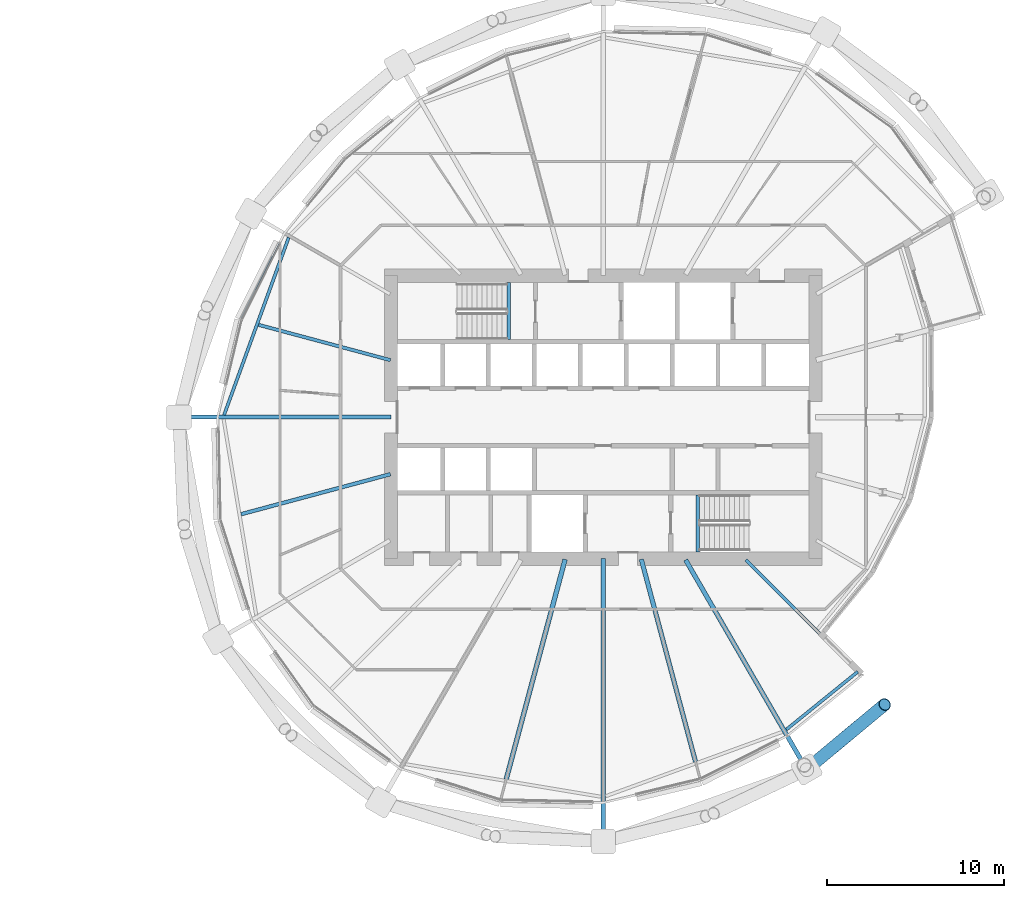
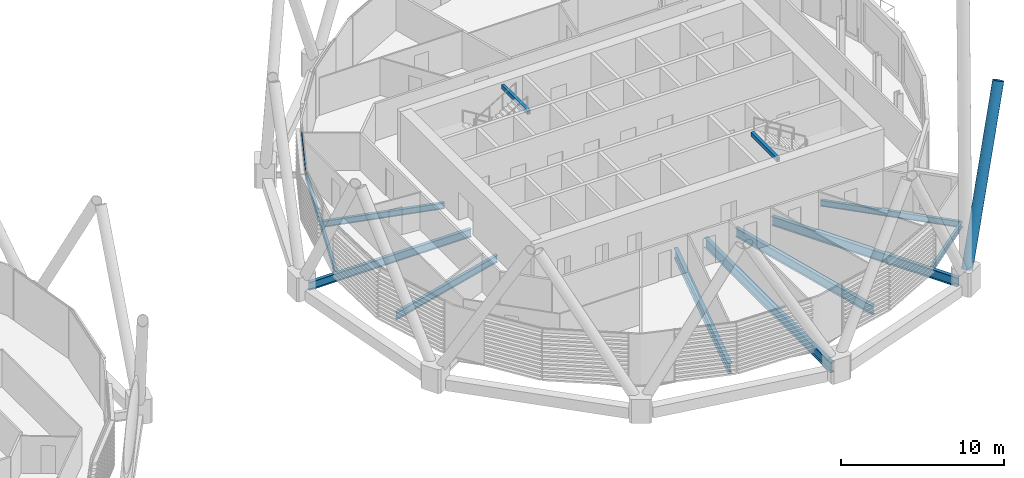
# One storey, part 19 of 39: 12 beams, 2 members, 1 element without a shape of its own.
"""IFC4 building model written with IfcOpenShell, lengths in metres."""

import ifcopenshell
import ifcopenshell.guid

model = None  # the IFC model being written
_history = None  # IfcOwnerHistory: only IFC2X3 demands one
_inside = {}  # id of a spatial element -> (the spatial element, [elements in it])
_under = {}  # id of a project, library or spatial element -> (it, [spatial elements below it])
_declared = {}  # id of a project -> (the project, [libraries it declares])
_typed = {}  # id of a type object -> (the type object, [elements of that type])
_made_of = {}  # id of a material, layer set ... -> (it, [elements and type objects made of it])


def new_model(schema):
    """Start an empty IFC model of exactly this schema.

    Asked for "IFC4X3", IfcOpenShell would pick the latest addendum, in which some entities
    have other attributes; the version numbers below select the first issue.
    IFC2X3 requires an IfcOwnerHistory on every rooted entity: one is made here for all.
    """
    global model, _history
    if schema == "IFC4X3":
        model = ifcopenshell.file(schema_version=(4, 3, 0, 0))
    else:
        model = ifcopenshell.file(schema=schema)
    _inside.clear()
    _under.clear()
    _declared.clear()
    _typed.clear()
    _made_of.clear()
    _history = None
    if model.schema == "IFC2X3":
        org = make("IfcOrganization", Name="unknown")
        user = make(
            "IfcPersonAndOrganization",
            ThePerson=make("IfcPerson", FamilyName="unknown"),
            TheOrganization=org,
        )
        app = make(
            "IfcApplication",
            ApplicationDeveloper=org,
            Version="unknown",
            ApplicationFullName="unknown",
            ApplicationIdentifier="unknown",
        )
        _history = make(
            "IfcOwnerHistory",
            OwningUser=user,
            OwningApplication=app,
            ChangeAction="ADDED",
            CreationDate=0,
        )
    return model


def make(cls, **values):
    """One entity of the class cls with the attributes given. An attribute that is None is left unset."""
    return model.create_entity(
        cls, **{name: value for name, value in values.items() if value is not None}
    )


def rooted(cls, **values):
    """An entity with a GlobalId (a new one), such as an element, a storey or a relation."""
    return make(cls, GlobalId=ifcopenshell.guid.new(), OwnerHistory=_history, **values)


def si_unit(unit_type, name, prefix=None):
    """IfcSIUnit, for example si_unit("LENGTHUNIT", "METRE", prefix="MILLI")."""
    return make("IfcSIUnit", UnitType=unit_type, Prefix=prefix, Name=name)


def assignment(units):
    """IfcUnitAssignment: the units of a project."""
    return None if units is None else make("IfcUnitAssignment", Units=units)


def point(xyz):
    """IfcCartesianPoint."""
    return None if xyz is None else make("IfcCartesianPoint", Coordinates=xyz)


def direction(xyz):
    """IfcDirection."""
    return None if xyz is None else make("IfcDirection", DirectionRatios=xyz)


def frame(location, z_axis=None, x_axis=None):
    """IfcAxis2Placement3D, a coordinate frame: its origin and axes. An axis left out is left unset."""
    return make(
        "IfcAxis2Placement3D",
        Location=point(location),
        Axis=direction(z_axis),
        RefDirection=direction(x_axis),
    )


def frame_2d(location, x_axis=None):
    """IfcAxis2Placement2D, a coordinate frame in the plane: its origin and x axis."""
    return make(
        "IfcAxis2Placement2D", Location=point(location), RefDirection=direction(x_axis)
    )


def origin():
    """The frame at (0, 0, 0) with its axes left unset."""
    return frame((0.0, 0.0, 0.0))


def origin_2d():
    """The frame at (0, 0) in the plane with its x axis left unset."""
    return frame_2d((0.0, 0.0))


def place(relative_to, where):
    """IfcLocalPlacement: puts the frame where relative to a parent placement (None: the world)."""
    return make(
        "IfcLocalPlacement", PlacementRelTo=relative_to, RelativePlacement=where
    )


def context(
    kind, dimensions, precision=None, world=None, true_north=None, identifier=None
):
    """IfcGeometricRepresentationContext, for example the 3D "Model" context."""
    return make(
        "IfcGeometricRepresentationContext",
        ContextIdentifier=identifier,
        ContextType=kind,
        CoordinateSpaceDimension=dimensions,
        Precision=precision,
        WorldCoordinateSystem=world,
        TrueNorth=true_north,
    )


def subcontext(parent, identifier, kind, view, scale=None):
    """IfcGeometricRepresentationSubContext, for example "Body" below "Model"."""
    return make(
        "IfcGeometricRepresentationSubContext",
        ContextIdentifier=identifier,
        ContextType=kind,
        ParentContext=parent,
        TargetScale=scale,
        TargetView=view,
    )


def project(units=None, contexts=None):
    """IfcProject with its units and contexts."""
    return rooted(
        "IfcProject",
        Name="project",
        RepresentationContexts=contexts,
        UnitsInContext=assignment(units),
    )


def spatial(cls, under=None, at=None, **own):
    """A site, building, storey or space (cls), placed at a placement, below another one or the project."""
    s = rooted(cls, ObjectPlacement=at, **own)
    if under is not None:
        _under.setdefault(under.id(), (under, []))[1].append(s)
    return s


def profile(cls, at=None, kind="AREA", **sizes):
    """A parametric profile (cls). Its sizes go by their IFC names, for example OverallWidth=200.0."""
    return make(cls, ProfileType=kind, Position=at, **sizes)


def rectangle(**sizes):
    """IfcRectangleProfileDef."""
    return profile("IfcRectangleProfileDef", **sizes)


def hollow_rectangle(**sizes):
    """IfcRectangleHollowProfileDef."""
    return profile("IfcRectangleHollowProfileDef", **sizes)


def hollow_circle(**sizes):
    """IfcCircleHollowProfileDef."""
    return profile("IfcCircleHollowProfileDef", **sizes)


def i_section(**sizes):
    """IfcIShapeProfileDef."""
    return profile("IfcIShapeProfileDef", **sizes)


def extrude(swept, where, along, depth):
    """IfcExtrudedAreaSolid: the profile swept, set in the frame where, extruded along a direction by depth."""
    return make(
        "IfcExtrudedAreaSolid",
        SweptArea=swept,
        Position=where,
        ExtrudedDirection=direction(along),
        Depth=depth,
    )


def shape(context_of_items, identifier, shape_type, items):
    """IfcShapeRepresentation: the items that make up one representation, for example the "Body"."""
    return make(
        "IfcShapeRepresentation",
        ContextOfItems=context_of_items,
        RepresentationIdentifier=identifier,
        RepresentationType=shape_type,
        Items=items,
    )


def material(Name=None, Category=None):
    """IfcMaterial."""
    return make("IfcMaterial", Name=Name, Category=Category)


def material_profile(
    of_material, cross_section, Name=None, Category=None, Priority=None
):
    """IfcMaterialProfile: a cross section and its material."""
    return make(
        "IfcMaterialProfile",
        Name=Name,
        Material=of_material,
        Profile=cross_section,
        Priority=Priority,
        Category=Category,
    )


def profile_set(profiles, Name=None, composite=None):
    """IfcMaterialProfileSet."""
    return make(
        "IfcMaterialProfileSet",
        Name=Name,
        MaterialProfiles=profiles,
        CompositeProfile=composite,
    )


def made_of(thing, what):
    """Note that an element or type object is made of a material, layer set ...; save() writes the relation."""
    if what is not None:
        _made_of.setdefault(what.id(), (what, []))[1].append(thing)
    return thing


def type_object(cls, material=None, **own):
    """A type object (cls), such as IfcWallType, which elements share."""
    return made_of(rooted(cls, **own), material)


def element(
    cls,
    number,
    at=None,
    inside=None,
    cuts=None,
    type_object=None,
    material=None,
    context=None,
    identifier="Body",
    shape_type=None,
    held_by="IfcProductDefinitionShape",
    body=None,
    shapes=None,
    **own,
):
    """One element of the class cls, such as IfcWall. Its Tag is "e" and its number.

    at: its placement. inside: the storey or other place that contains it. cuts: it is an
    opening in that element (IfcRelVoidsElement). A single representation is given by context,
    identifier, shape_type and body (its items); several are given by shapes. held_by: the class
    of the entity that holds the representations. save() writes the other relations.
    """
    e = rooted(cls, Tag="e%d" % number, ObjectPlacement=at, **own)
    if body is not None:
        shapes = [shape(context, identifier, shape_type, body)]
    if shapes is not None:
        e.Representation = make(held_by, Representations=shapes)
    if inside is not None:
        _inside.setdefault(inside.id(), (inside, []))[1].append(e)
    if cuts is not None:
        rooted(
            "IfcRelVoidsElement", RelatingBuildingElement=cuts, RelatedOpeningElement=e
        )
    if type_object is not None:
        _typed.setdefault(type_object.id(), (type_object, []))[1].append(e)
    return made_of(e, material)


def aggregate(whole, parts):
    """IfcRelAggregates: a whole, such as a stair, and the parts it consists of."""
    return rooted("IfcRelAggregates", RelatingObject=whole, RelatedObjects=parts)


def save(model, path):
    """Write the relations noted so far, then the file.

    IfcRelAggregates (storeys below a building ...), IfcRelContainedInSpatialStructure (elements
    in a storey), IfcRelDefinesByType, IfcRelAssociatesMaterial and IfcRelDeclares: one each for
    every whole, place, type object, material and project.
    """
    for whole, parts in _under.values():
        aggregate(whole, parts)
    for where, things in _inside.values():
        rooted(
            "IfcRelContainedInSpatialStructure",
            RelatedElements=things,
            RelatingStructure=where,
        )
    for kind, things in _typed.values():
        rooted("IfcRelDefinesByType", RelatedObjects=things, RelatingType=kind)
    for what, things in _made_of.values():
        rooted("IfcRelAssociatesMaterial", RelatedObjects=things, RelatingMaterial=what)
    for by, libraries in _declared.values():
        rooted("IfcRelDeclares", RelatingContext=by, RelatedDefinitions=libraries)
    model.write(path)


model = new_model("IFC4")

# Units and contexts
model_context = context("Model", 3, precision=1e-05, world=origin(), true_north=direction((0.0, 1.0)))
body_context = subcontext(model_context, "Body", "Model", "MODEL_VIEW")
ifc_project = project(units=[si_unit("LENGTHUNIT", "METRE"), si_unit("AREAUNIT", "SQUARE_METRE"), si_unit("VOLUMEUNIT", "CUBIC_METRE"), si_unit("PLANEANGLEUNIT", "RADIAN"), si_unit("MASSUNIT", "GRAM", prefix="KILO")], contexts=[model_context])

# Site, building, storey
site_placement = place(None, origin())
site = spatial("IfcSite", under=ifc_project, at=site_placement, CompositionType="ELEMENT")
building_placement = place(site_placement, origin())
building = spatial("IfcBuilding", under=site, at=building_placement, Name="Rimbun Link Towers", CompositionType="ELEMENT")
storey_placement = place(building_placement, frame((0.0, 0.0, 115.800048828125)))
storey = spatial("IfcBuildingStorey", under=building, at=storey_placement, Name="L28", CompositionType="ELEMENT", Elevation=115.800048828125)

# Curtain wall, member
ifc_material_1 = material(Name="Aluminium 6063-T6 and low-iron glass", Category="aluminium")
curtain_wall_type = type_object("IfcCurtainWallType", Name="CW1-Z2 unitised vision wall (zone 2)", PredefinedType="NOTDEFINED", material=ifc_material_1)
curtain_wall_placement = place(storey_placement, origin())
curtain_wall = element("IfcCurtainWall", 1, at=curtain_wall_placement, inside=storey, type_object=curtain_wall_type, Name="CW1 L28 T2", PredefinedType="NOTDEFINED")
ifc_material_2 = material(Name="Aluminium 6063-T6", Category="aluminium")
ifc_material_profile_1 = material_profile(ifc_material_2, rectangle(XDim=0.06005859375, YDim=0.1201171875, at=origin_2d()), Name="TRANSOM 60X120")
ifc_profile_set_1 = profile_set([ifc_material_profile_1], Name="Aluminium 6063-T6")
member_type_1 = type_object("IfcMemberType", Name="CW1 transom 60X120", PredefinedType="USERDEFINED", material=ifc_profile_set_1)
member_1_placement = place(storey_placement, frame((11.2900390625, 5.52490234375, 3.199951171875), z_axis=(0.44877263084, 0.893645973419, 0.0), x_axis=(-0.893645973419, 0.44877263084, 0.0)))
member_1 = element("IfcMember", 2, at=member_1_placement, type_object=member_type_1, Name="CW1 transom", ObjectType="TRANSOM", PredefinedType="USERDEFINED", context=body_context, shape_type="SweptSolid", body=[
    extrude(rectangle(XDim=0.06005859375, YDim=0.1201171875, at=origin_2d()), origin(), (0.0, 0.0, 1.0), 4.821044921875),
])
aggregate(curtain_wall, [member_1])

# Member
ifc_material_3 = material(Name="Steel S460NH", Category="steel")
ifc_material_profile_2 = material_profile(ifc_material_3, hollow_circle(Radius=0.355712890625, WallThickness=0.031982421875, at=origin_2d()), Name="Diagrid diagonal CHS 711x32")
ifc_profile_set_2 = profile_set([ifc_material_profile_2], Name="Steel S460NH")
member_type_2 = type_object("IfcMemberType", Name="Diagrid diagonal CHS 711x32", PredefinedType="BRACE", material=ifc_profile_set_2)
member_2_placement = place(storey_placement, frame((43.423583984375, -19.761962890625, 0.44287109375), z_axis=(0.356984308532, 0.296828812366, 0.885694563386), x_axis=(-0.639347448765, 0.768917966858, 0.0)))
element("IfcMember", 3, at=member_2_placement, inside=storey, type_object=member_type_2, Name="Diagrid diagonal T2 L28-L31 17b", PredefinedType="BRACE", context=body_context, shape_type="SweptSolid", body=[
    extrude(hollow_circle(Radius=0.355712890625, WallThickness=0.031982421875, at=origin_2d()), origin(), (0.0, 0.0, 1.0), 11.87109375),
])

# Beams
ifc_material_4 = material(Name="Steel S355J2", Category="steel")
ifc_material_profile_3 = material_profile(ifc_material_4, hollow_rectangle(XDim=0.199951171875, YDim=0.300048828125, WallThickness=0.011962890625, at=origin_2d()), Name="BOX 300x200x12")
ifc_profile_set_3 = profile_set([ifc_material_profile_3], Name="Steel S355J2")
beam_type_1 = type_object("IfcBeamType", Name="Stair trimmer beam BOX 300x200x12", PredefinedType="BEAM", material=ifc_profile_set_3)
for number, where, z_axis, x_axis, name in (
    (4, (26.39990234375, 7.625, 3.489990234375), (0.0, -1.0, 0.0), (1.0, 0.0, 0.0), "L28 ST3 stair beam 1"),
    (5, (37.10009765625, -7.625, 3.489990234375), (0.0, 1.0, 0.0), (-1.0, 0.0, 0.0), "L28 ST4 stair beam 1"),
):
    element("IfcBeam", number, at=place(storey_placement, frame(where, z_axis=z_axis, x_axis=x_axis)), inside=storey, type_object=beam_type_1, Name=name, PredefinedType="BEAM", context=body_context, shape_type="SweptSolid", body=[
        extrude(hollow_rectangle(XDim=0.199951171875, YDim=0.300048828125, WallThickness=0.011962890625, at=origin_2d()), origin(), (0.0, 0.0, 1.0), 3.22509765625),
    ])
ifc_material_5 = material(Name="Steel S355J2", Category="steel")
ifc_material_profile_4 = material_profile(ifc_material_5, i_section(OverallWidth=0.177978515625, OverallDepth=0.406494140625, WebThickness=0.0078125, FlangeThickness=0.0126953125, at=origin_2d()), Name="UB 406x178x60")
ifc_profile_set_4 = profile_set([ifc_material_profile_4], Name="Steel S355J2")
beam_type_2 = type_object("IfcBeamType", Name="UB 406x178x60", PredefinedType="BEAM", material=ifc_profile_set_4)
beam_1_placement = place(storey_placement, frame((13.97412109375, 10.152099609375, -0.36328125), z_axis=(-0.342203619582, -0.939625820603, 0.0), x_axis=(0.939625820603, -0.342203619582, 0.0)))
element("IfcBeam", 6, at=beam_1_placement, inside=storey, type_object=beam_type_2, Name="Edge beam T2 L28 07-09", PredefinedType="BEAM", context=body_context, shape_type="SweptSolid", body=[
    extrude(i_section(OverallWidth=0.177978515625, OverallDepth=0.406494140625, WebThickness=0.0078125, FlangeThickness=0.0126953125, at=origin_2d()), origin(), (0.0, 0.0, 1.0), 10.682373046875),
])
beam_2_placement = place(storey_placement, frame((42.105224609375, -17.652099609375, -0.36328125), z_axis=(0.77729747892, 0.629133236496, 0.0), x_axis=(-0.629133236496, 0.77729747892, 0.0)))
element("IfcBeam", 7, at=beam_2_placement, inside=storey, type_object=beam_type_2, Name="Edge beam T2 L28 17", PredefinedType="BEAM", context=body_context, shape_type="SweptSolid", body=[
    extrude(i_section(OverallWidth=0.177978515625, OverallDepth=0.406494140625, WebThickness=0.0078125, FlangeThickness=0.0126953125, at=origin_2d()), origin(), (0.0, 0.0, 1.0), 5.187255859375),
])
ifc_material_6 = material(Name="Steel S355J2", Category="steel")
ifc_material_profile_5 = material_profile(ifc_material_6, i_section(OverallWidth=0.18994140625, OverallDepth=0.453369140625, WebThickness=0.008544921875, FlangeThickness=0.0126953125, at=origin_2d()), Name="UB 457x191x67")
ifc_profile_set_5 = profile_set([ifc_material_profile_5], Name="Steel S355J2")
beam_type_3 = type_object("IfcBeamType", Name="UB 457x191x67", PredefinedType="BEAM", material=ifc_profile_set_5)
beam_3_placement = place(storey_placement, frame((19.724609375, 3.22216796875, -0.38671875), z_axis=(-0.9659264379, 0.258816762529, 0.0), x_axis=(-0.258816762529, -0.9659264379, 0.0)))
element("IfcBeam", 8, at=beam_3_placement, inside=storey, type_object=beam_type_3, Name="Radial beam T2 L28 08", PredefinedType="BEAM", context=body_context, shape_type="SweptSolid", body=[
    extrude(i_section(OverallWidth=0.18994140625, OverallDepth=0.453369140625, WebThickness=0.008544921875, FlangeThickness=0.0126953125, at=origin_2d()), origin(), (0.0, 0.0, 1.0), 7.71435546875),
])
beam_4_placement = place(storey_placement, frame((39.81787109375, -8.06787109375, -0.38671875), z_axis=(0.707106781187, -0.707106781187, 0.0), x_axis=(0.707106781187, 0.707106781187, 0.0)))
element("IfcBeam", 9, at=beam_4_placement, inside=storey, type_object=beam_type_3, Name="Radial beam T2 L28 18", PredefinedType="BEAM", context=body_context, shape_type="SweptSolid", body=[
    extrude(i_section(OverallWidth=0.18994140625, OverallDepth=0.453369140625, WebThickness=0.008544921875, FlangeThickness=0.0126953125, at=origin_2d()), origin(), (0.0, 0.0, 1.0), 8.847412109375),
])
ifc_material_7 = material(Name="Steel S355J2", Category="steel")
ifc_material_profile_6 = material_profile(ifc_material_7, i_section(OverallWidth=0.209228515625, OverallDepth=0.533203125, WebThickness=0.010009765625, FlangeThickness=0.015625, at=origin_2d()), Name="UB 533x210x92")
ifc_profile_set_6 = profile_set([ifc_material_profile_6], Name="Steel S355J2")
beam_type_4 = type_object("IfcBeamType", Name="UB 533x210x92", PredefinedType="BEAM", material=ifc_profile_set_6)
beam_5_placement = place(storey_placement, frame((19.721923828125, -3.222900390625, -0.426513671875), z_axis=(-0.965926352771, -0.258817080236, 0.0), x_axis=(0.258817080236, -0.965926352771, 0.0)))
element("IfcBeam", 10, at=beam_5_placement, inside=storey, type_object=beam_type_4, Name="Radial beam T2 L28 10", PredefinedType="BEAM", context=body_context, shape_type="SweptSolid", body=[
    extrude(i_section(OverallWidth=0.209228515625, OverallDepth=0.533203125, WebThickness=0.010009765625, FlangeThickness=0.015625, at=origin_2d()), origin(), (0.0, 0.0, 1.0), 8.73876953125),
])
ifc_material_8 = material(Name="Steel S355J2", Category="steel")
ifc_material_profile_7 = material_profile(ifc_material_8, i_section(OverallWidth=0.2275390625, OverallDepth=0.6025390625, WebThickness=0.010498046875, FlangeThickness=0.014892578125, at=origin_2d()), Name="UB 610x229x101")
ifc_profile_set_7 = profile_set([ifc_material_profile_7], Name="Steel S355J2")
beam_type_5 = type_object("IfcBeamType", Name="UB 610x229x101", PredefinedType="BEAM", material=ifc_profile_set_7)
beam_6_placement = place(storey_placement, frame((19.7490234375, 0.0, -0.46142578125), z_axis=(-1.0, 0.0, 0.0), x_axis=(0.0, -1.0, 0.0)))
element("IfcBeam", 11, at=beam_6_placement, inside=storey, type_object=beam_type_5, Name="Radial beam T2 L28 09", PredefinedType="BEAM", context=body_context, shape_type="SweptSolid", body=[
    extrude(i_section(OverallWidth=0.2275390625, OverallDepth=0.6025390625, WebThickness=0.010498046875, FlangeThickness=0.014892578125, at=origin_2d()), origin(), (0.0, 0.0, 1.0), 11.479248046875),
])
ifc_material_9 = material(Name="Steel S355J2", Category="steel")
ifc_material_profile_8 = material_profile(ifc_material_9, i_section(OverallWidth=0.253662109375, OverallDepth=0.68359375, WebThickness=0.012451171875, FlangeThickness=0.01904296875, at=origin_2d()), Name="UB 686x254x140")
ifc_profile_set_8 = profile_set([ifc_material_profile_8], Name="Steel S355J2")
beam_type_6 = type_object("IfcBeamType", Name="UB 686x254x140", PredefinedType="BEAM", material=ifc_profile_set_8)
beam_7_placement = place(storey_placement, frame((33.902587890625, -8.03369140625, -0.501953125), z_axis=(0.258818149122, -0.965926066366, 0.0), x_axis=(0.965926066366, 0.258818149122, 0.0)))
element("IfcBeam", 12, at=beam_7_placement, inside=storey, type_object=beam_type_6, Name="Radial beam T2 L28 16", PredefinedType="BEAM", context=body_context, shape_type="SweptSolid", body=[
    extrude(i_section(OverallWidth=0.253662109375, OverallDepth=0.68359375, WebThickness=0.012451171875, FlangeThickness=0.01904296875, at=origin_2d()), origin(), (0.0, 0.0, 1.0), 11.8466796875),
])
beam_8_placement = place(storey_placement, frame((36.406005859375, -8.064208984375, -0.501953125), z_axis=(0.499986517253, -0.866033187912, 0.0), x_axis=(0.866033187912, 0.499986517253, 0.0)))
element("IfcBeam", 13, at=beam_8_placement, inside=storey, type_object=beam_type_6, Name="Radial beam T2 L28 17", PredefinedType="BEAM", context=body_context, shape_type="SweptSolid", body=[
    extrude(i_section(OverallWidth=0.253662109375, OverallDepth=0.68359375, WebThickness=0.012451171875, FlangeThickness=0.01904296875, at=origin_2d()), origin(), (0.0, 0.0, 1.0), 13.178466796875),
])
ifc_material_10 = material(Name="Steel S355J2", Category="steel")
ifc_material_profile_9 = material_profile(ifc_material_10, i_section(OverallWidth=0.2666015625, OverallDepth=0.76220703125, WebThickness=0.014404296875, FlangeThickness=0.021484375, at=origin_2d()), Name="UB 762x267x173")
ifc_profile_set_9 = profile_set([ifc_material_profile_9], Name="Steel S355J2")
beam_type_7 = type_object("IfcBeamType", Name="UB 762x267x173", PredefinedType="BEAM", material=ifc_profile_set_9)
beam_9_placement = place(storey_placement, frame((29.596923828125, -8.035400390625, -0.541259765625), z_axis=(-0.258816984012, -0.965926378554, 0.0), x_axis=(0.965926378554, -0.258816984012, 0.0)))
element("IfcBeam", 14, at=beam_9_placement, inside=storey, type_object=beam_type_7, Name="Radial beam T2 L28 14", PredefinedType="BEAM", context=body_context, shape_type="SweptSolid", body=[
    extrude(i_section(OverallWidth=0.2666015625, OverallDepth=0.76220703125, WebThickness=0.014404296875, FlangeThickness=0.021484375, at=origin_2d()), origin(), (0.0, 0.0, 1.0), 12.872314453125),
])
beam_10_placement = place(storey_placement, frame((31.75, -8.0009765625, -0.541259765625), z_axis=(0.0, -1.0, 0.0), x_axis=(1.0, 0.0, 0.0)))
element("IfcBeam", 15, at=beam_10_placement, inside=storey, type_object=beam_type_7, Name="Radial beam T2 L28 15", PredefinedType="BEAM", context=body_context, shape_type="SweptSolid", body=[
    extrude(i_section(OverallWidth=0.2666015625, OverallDepth=0.76220703125, WebThickness=0.014404296875, FlangeThickness=0.021484375, at=origin_2d()), origin(), (0.0, 0.0, 1.0), 15.479248046875),
])

save(model, "model.ifc")
